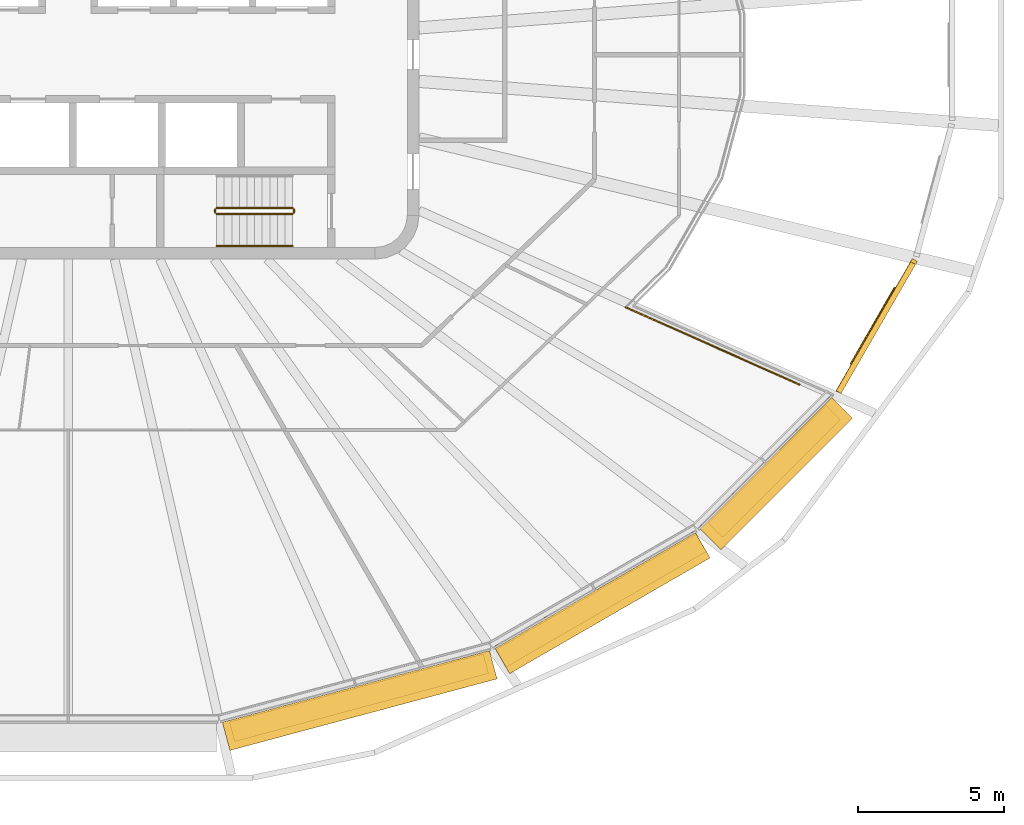
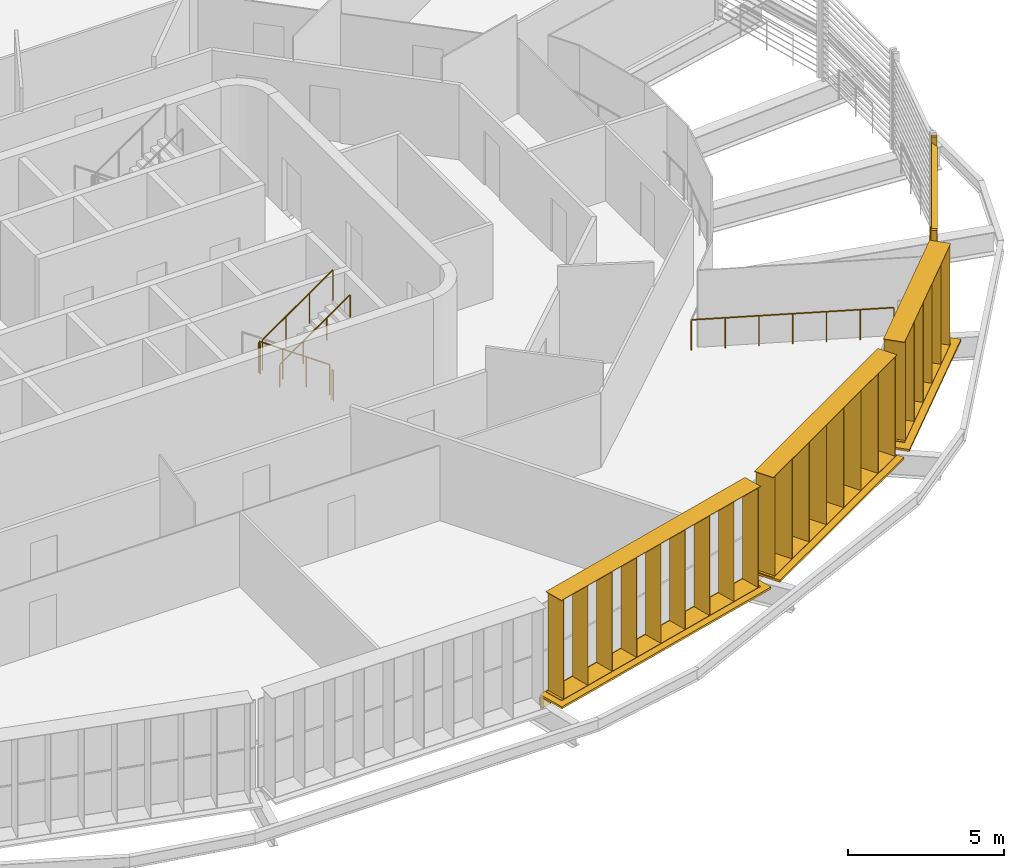
# One storey, part 18 of 21: 7 railings, 7 shading devices.
"""IFC4 building model written with IfcOpenShell, lengths in metres."""

from ifc_helpers import new_model, si_unit, direction, frame, origin, origin_2d, place, context, subcontext, project, spatial, rectangle, circle, extrude, material, type_object, element, save


model = new_model("IFC4")

# Units and contexts
model_context = context("Model", 3, precision=1e-05, world=origin(), true_north=direction((0.0, 1.0)))
body_context = subcontext(model_context, "Body", "Model", "MODEL_VIEW")
ifc_project = project(units=[si_unit("LENGTHUNIT", "METRE"), si_unit("AREAUNIT", "SQUARE_METRE"), si_unit("VOLUMEUNIT", "CUBIC_METRE"), si_unit("PLANEANGLEUNIT", "RADIAN"), si_unit("MASSUNIT", "GRAM", prefix="KILO")], contexts=[model_context])

# Site, building, storey
site_placement = place(None, origin())
site = spatial("IfcSite", under=ifc_project, at=site_placement, CompositionType="ELEMENT")
building_placement = place(site_placement, origin())
building = spatial("IfcBuilding", under=site, at=building_placement, Name="Sahrelin Media Tower", CompositionType="ELEMENT")
storey_placement = place(building_placement, frame((0.0, 0.0, 263.0)))
storey = spatial("IfcBuildingStorey", under=building, at=storey_placement, Name="L57", CompositionType="ELEMENT", Elevation=263.0)

# Shading devices
ifc_material_1 = material(Name="Champagne anodised aluminium 6063-T6", Category="aluminium")
shading_device_type_1 = type_object("IfcShadingDeviceType", Name="Fin cassette", PredefinedType="USERDEFINED", material=ifc_material_1)
placement_1 = place(storey_placement, frame((9.835693359375, -21.59521484375, 0.0), z_axis=(0.0, 0.0, 1.0), x_axis=(-0.965928857556, -0.258807731996, 0.0)))
element("IfcShadingDevice", 1, at=placement_1, inside=storey, type_object=shading_device_type_1, Name="L57:FIN:L57-19", ObjectType="FIN", PredefinedType="USERDEFINED", context=body_context, shape_type="SweptSolid", body=[
    extrude(rectangle(XDim=9.0, YDim=0.699951171875, at=origin_2d()), frame((0.0, 0.419921875, 0.0)), (0.0, 0.0, 1.0), 0.02001953125),
    extrude(rectangle(XDim=9.0, YDim=0.699951171875, at=origin_2d()), frame((0.0, 0.419921875, 3.89990234375)), (0.0, 0.0, 1.0), 0.02001953125),
    extrude(rectangle(XDim=0.02001953125, YDim=0.699951171875, at=origin_2d()), frame((-4.39990234375, 0.419921875, 0.010009765625), z_axis=(0.0, 0.0, 1.0), x_axis=(1.0, 0.0, 0.0)), (0.0, 0.0, 1.0), 3.89990234375),
    extrude(rectangle(XDim=0.02001953125, YDim=0.699951171875, at=origin_2d()), frame((-3.300048828125, 0.419921875, 0.010009765625), z_axis=(0.0, 0.0, 1.0), x_axis=(1.0, 0.0, 0.0)), (0.0, 0.0, 1.0), 3.89990234375),
    extrude(rectangle(XDim=0.02001953125, YDim=0.699951171875, at=origin_2d()), frame((-2.199951171875, 0.419921875, 0.010009765625), z_axis=(0.0, 0.0, 1.0), x_axis=(1.0, 0.0, 0.0)), (0.0, 0.0, 1.0), 3.89990234375),
    extrude(rectangle(XDim=0.02001953125, YDim=0.699951171875, at=origin_2d()), frame((-1.10009765625, 0.419921875, 0.010009765625), z_axis=(0.0, 0.0, 1.0), x_axis=(1.0, 0.0, 0.0)), (0.0, 0.0, 1.0), 3.89990234375),
    extrude(rectangle(XDim=0.02001953125, YDim=0.699951171875, at=origin_2d()), frame((0.0, 0.419921875, 0.010009765625), z_axis=(0.0, 0.0, 1.0), x_axis=(1.0, 0.0, 0.0)), (0.0, 0.0, 1.0), 3.89990234375),
    extrude(rectangle(XDim=0.02001953125, YDim=0.699951171875, at=origin_2d()), frame((1.10009765625, 0.419921875, 0.010009765625), z_axis=(0.0, 0.0, 1.0), x_axis=(1.0, 0.0, 0.0)), (0.0, 0.0, 1.0), 3.89990234375),
    extrude(rectangle(XDim=0.02001953125, YDim=0.699951171875, at=origin_2d()), frame((2.199951171875, 0.419921875, 0.010009765625), z_axis=(0.0, 0.0, 1.0), x_axis=(1.0, 0.0, 0.0)), (0.0, 0.0, 1.0), 3.89990234375),
    extrude(rectangle(XDim=0.02001953125, YDim=0.699951171875, at=origin_2d()), frame((3.300048828125, 0.419921875, 0.010009765625), z_axis=(0.0, 0.0, 1.0), x_axis=(1.0, 0.0, 0.0)), (0.0, 0.0, 1.0), 3.89990234375),
    extrude(rectangle(XDim=0.02001953125, YDim=0.699951171875, at=origin_2d()), frame((4.39990234375, 0.419921875, 0.010009765625), z_axis=(0.0, 0.0, 1.0), x_axis=(1.0, 0.0, 0.0)), (0.0, 0.0, 1.0), 3.89990234375),
])
placement_2 = place(storey_placement, frame((18.017578125, -18.31494140625, 0.0), z_axis=(0.0, 0.0, 1.0), x_axis=(-0.866019052629, -0.500011000363, 0.0)))
element("IfcShadingDevice", 2, at=placement_2, inside=storey, type_object=shading_device_type_1, Name="L57:FIN:L57-20", ObjectType="FIN", PredefinedType="USERDEFINED", context=body_context, shape_type="SweptSolid", body=[
    extrude(rectangle(XDim=7.89990234375, YDim=0.699951171875, at=origin_2d()), frame((0.0, 0.419921875, 0.0)), (0.0, 0.0, 1.0), 0.02001953125),
    extrude(rectangle(XDim=7.89990234375, YDim=0.699951171875, at=origin_2d()), frame((0.0, 0.419921875, 3.89990234375)), (0.0, 0.0, 1.0), 0.02001953125),
    extrude(rectangle(XDim=0.02001953125, YDim=0.699951171875, at=origin_2d()), frame((-3.85009765625, 0.419921875, 0.010009765625), z_axis=(0.0, 0.0, 1.0), x_axis=(1.0, 0.0, 0.0)), (0.0, 0.0, 1.0), 3.89990234375),
    extrude(rectangle(XDim=0.02001953125, YDim=0.699951171875, at=origin_2d()), frame((-2.75, 0.419921875, 0.010009765625), z_axis=(0.0, 0.0, 1.0), x_axis=(1.0, 0.0, 0.0)), (0.0, 0.0, 1.0), 3.89990234375),
    extrude(rectangle(XDim=0.02001953125, YDim=0.699951171875, at=origin_2d()), frame((-1.64990234375, 0.419921875, 0.010009765625), z_axis=(0.0, 0.0, 1.0), x_axis=(1.0, 0.0, 0.0)), (0.0, 0.0, 1.0), 3.89990234375),
    extrude(rectangle(XDim=0.02001953125, YDim=0.699951171875, at=origin_2d()), frame((-0.550048828125, 0.419921875, 0.010009765625), z_axis=(0.0, 0.0, 1.0), x_axis=(1.0, 0.0, 0.0)), (0.0, 0.0, 1.0), 3.89990234375),
    extrude(rectangle(XDim=0.02001953125, YDim=0.699951171875, at=origin_2d()), frame((0.550048828125, 0.419921875, 0.010009765625), z_axis=(0.0, 0.0, 1.0), x_axis=(1.0, 0.0, 0.0)), (0.0, 0.0, 1.0), 3.89990234375),
    extrude(rectangle(XDim=0.02001953125, YDim=0.699951171875, at=origin_2d()), frame((1.64990234375, 0.419921875, 0.010009765625), z_axis=(0.0, 0.0, 1.0), x_axis=(1.0, 0.0, 0.0)), (0.0, 0.0, 1.0), 3.89990234375),
    extrude(rectangle(XDim=0.02001953125, YDim=0.699951171875, at=origin_2d()), frame((2.75, 0.419921875, 0.010009765625), z_axis=(0.0, 0.0, 1.0), x_axis=(1.0, 0.0, 0.0)), (0.0, 0.0, 1.0), 3.89990234375),
    extrude(rectangle(XDim=0.02001953125, YDim=0.699951171875, at=origin_2d()), frame((3.85009765625, 0.419921875, 0.010009765625), z_axis=(0.0, 0.0, 1.0), x_axis=(1.0, 0.0, 0.0)), (0.0, 0.0, 1.0), 3.89990234375),
])
placement_3 = place(storey_placement, frame((23.855712890625, -13.963134765625, 0.0), z_axis=(0.0, 0.0, 1.0), x_axis=(-0.707106781187, -0.707106781187, 0.0)))
element("IfcShadingDevice", 3, at=placement_3, inside=storey, type_object=shading_device_type_1, Name="L57:FIN:L57-21", ObjectType="FIN", PredefinedType="USERDEFINED", context=body_context, shape_type="SweptSolid", body=[
    extrude(rectangle(XDim=5.699951171875, YDim=0.699951171875, at=origin_2d()), frame((0.0, 0.419921875, 0.0)), (0.0, 0.0, 1.0), 0.02001953125),
    extrude(rectangle(XDim=5.699951171875, YDim=0.699951171875, at=origin_2d()), frame((0.0, 0.419921875, 3.89990234375)), (0.0, 0.0, 1.0), 0.02001953125),
    extrude(rectangle(XDim=0.02001953125, YDim=0.699951171875, at=origin_2d()), frame((-2.75, 0.419921875, 0.010009765625), z_axis=(0.0, 0.0, 1.0), x_axis=(1.0, 0.0, 0.0)), (0.0, 0.0, 1.0), 3.89990234375),
    extrude(rectangle(XDim=0.02001953125, YDim=0.699951171875, at=origin_2d()), frame((-1.64990234375, 0.419921875, 0.010009765625), z_axis=(0.0, 0.0, 1.0), x_axis=(1.0, 0.0, 0.0)), (0.0, 0.0, 1.0), 3.89990234375),
    extrude(rectangle(XDim=0.02001953125, YDim=0.699951171875, at=origin_2d()), frame((-0.550048828125, 0.419921875, 0.010009765625), z_axis=(0.0, 0.0, 1.0), x_axis=(1.0, 0.0, 0.0)), (0.0, 0.0, 1.0), 3.89990234375),
    extrude(rectangle(XDim=0.02001953125, YDim=0.699951171875, at=origin_2d()), frame((0.550048828125, 0.419921875, 0.010009765625), z_axis=(0.0, 0.0, 1.0), x_axis=(1.0, 0.0, 0.0)), (0.0, 0.0, 1.0), 3.89990234375),
    extrude(rectangle(XDim=0.02001953125, YDim=0.699951171875, at=origin_2d()), frame((1.64990234375, 0.419921875, 0.010009765625), z_axis=(0.0, 0.0, 1.0), x_axis=(1.0, 0.0, 0.0)), (0.0, 0.0, 1.0), 3.89990234375),
    extrude(rectangle(XDim=0.02001953125, YDim=0.699951171875, at=origin_2d()), frame((2.75, 0.419921875, 0.010009765625), z_axis=(0.0, 0.0, 1.0), x_axis=(1.0, 0.0, 0.0)), (0.0, 0.0, 1.0), 3.89990234375),
])
shading_device_type_2 = type_object("IfcShadingDeviceType", Name="Garden screen", PredefinedType="USERDEFINED", material=ifc_material_1)
shading_device_4_placement = place(storey_placement, frame((27.537109375, -9.285888671875, 0.0), z_axis=(0.0, 0.0, 1.0), x_axis=(-0.500011000363, -0.866019052629, 0.0)))
element("IfcShadingDevice", 4, at=shading_device_4_placement, inside=storey, type_object=shading_device_type_2, Name="L57:SCREEN:L57-22", ObjectType="SCREEN", PredefinedType="USERDEFINED", context=body_context, shape_type="SweptSolid", body=[
    extrude(rectangle(XDim=0.1201171875, YDim=0.199951171875, at=origin_2d()), frame((2.609619140625, 0.10009765625, 0.050048828125), z_axis=(0.0, 0.0, 1.0), x_axis=(1.0, 0.0, 0.0)), (0.0, 0.0, 1.0), 3.89990234375),
    extrude(rectangle(XDim=0.1201171875, YDim=0.199951171875, at=origin_2d()), frame((-2.609619140625, 0.10009765625, 0.050048828125), z_axis=(0.0, 0.0, 1.0), x_axis=(1.0, 0.0, 0.0)), (0.0, 0.0, 1.0), 3.89990234375),
    extrude(rectangle(XDim=0.25, YDim=0.02001953125, at=origin_2d()), frame((2.549560546875, 0.10009765625, 0.14990234375), z_axis=(-1.0, 0.0, 0.0), x_axis=(0.0, -0.766044443119, 0.642787609687)), (0.0, 0.0, 1.0), 5.09912109375),
    extrude(rectangle(XDim=0.25, YDim=0.02001953125, at=origin_2d()), frame((2.549560546875, 0.10009765625, 0.39990234375), z_axis=(-1.0, 0.0, 0.0), x_axis=(0.0, -0.766044443119, 0.642787609687)), (0.0, 0.0, 1.0), 5.09912109375),
    extrude(rectangle(XDim=0.25, YDim=0.02001953125, at=origin_2d()), frame((2.549560546875, 0.10009765625, 0.64990234375), z_axis=(-1.0, 0.0, 0.0), x_axis=(0.0, -0.766044443119, 0.642787609687)), (0.0, 0.0, 1.0), 5.09912109375),
    extrude(rectangle(XDim=0.25, YDim=0.02001953125, at=origin_2d()), frame((2.549560546875, 0.10009765625, 0.89990234375), z_axis=(-1.0, 0.0, 0.0), x_axis=(0.0, -0.766044443119, 0.642787609687)), (0.0, 0.0, 1.0), 5.09912109375),
    extrude(rectangle(XDim=0.25, YDim=0.02001953125, at=origin_2d()), frame((2.549560546875, 0.10009765625, 1.14990234375), z_axis=(-1.0, 0.0, 0.0), x_axis=(0.0, -0.766044443119, 0.642787609687)), (0.0, 0.0, 1.0), 5.09912109375),
    extrude(rectangle(XDim=0.25, YDim=0.02001953125, at=origin_2d()), frame((2.549560546875, 0.10009765625, 1.39990234375), z_axis=(-1.0, 0.0, 0.0), x_axis=(0.0, -0.766044443119, 0.642787609687)), (0.0, 0.0, 1.0), 5.09912109375),
    extrude(rectangle(XDim=0.25, YDim=0.02001953125, at=origin_2d()), frame((2.549560546875, 0.10009765625, 1.64990234375), z_axis=(-1.0, 0.0, 0.0), x_axis=(0.0, -0.766044443119, 0.642787609687)), (0.0, 0.0, 1.0), 5.09912109375),
    extrude(rectangle(XDim=0.25, YDim=0.02001953125, at=origin_2d()), frame((2.549560546875, 0.10009765625, 1.89990234375), z_axis=(-1.0, 0.0, 0.0), x_axis=(0.0, -0.766044443119, 0.642787609687)), (0.0, 0.0, 1.0), 5.09912109375),
    extrude(rectangle(XDim=0.25, YDim=0.02001953125, at=origin_2d()), frame((2.549560546875, 0.10009765625, 2.14990234375), z_axis=(-1.0, 0.0, 0.0), x_axis=(0.0, -0.766044443119, 0.642787609687)), (0.0, 0.0, 1.0), 5.09912109375),
    extrude(rectangle(XDim=0.25, YDim=0.02001953125, at=origin_2d()), frame((2.549560546875, 0.10009765625, 2.39990234375), z_axis=(-1.0, 0.0, 0.0), x_axis=(0.0, -0.766044443119, 0.642787609687)), (0.0, 0.0, 1.0), 5.09912109375),
    extrude(rectangle(XDim=0.25, YDim=0.02001953125, at=origin_2d()), frame((2.549560546875, 0.10009765625, 2.64990234375), z_axis=(-1.0, 0.0, 0.0), x_axis=(0.0, -0.766044443119, 0.642787609687)), (0.0, 0.0, 1.0), 5.09912109375),
    extrude(rectangle(XDim=0.25, YDim=0.02001953125, at=origin_2d()), frame((2.549560546875, 0.10009765625, 2.89990234375), z_axis=(-1.0, 0.0, 0.0), x_axis=(0.0, -0.766044443119, 0.642787609687)), (0.0, 0.0, 1.0), 5.09912109375),
    extrude(rectangle(XDim=0.25, YDim=0.02001953125, at=origin_2d()), frame((2.549560546875, 0.10009765625, 3.14990234375), z_axis=(-1.0, 0.0, 0.0), x_axis=(0.0, -0.766044443119, 0.642787609687)), (0.0, 0.0, 1.0), 5.09912109375),
    extrude(rectangle(XDim=0.25, YDim=0.02001953125, at=origin_2d()), frame((2.549560546875, 0.10009765625, 3.39990234375), z_axis=(-1.0, 0.0, 0.0), x_axis=(0.0, -0.766044443119, 0.642787609687)), (0.0, 0.0, 1.0), 5.09912109375),
    extrude(rectangle(XDim=0.25, YDim=0.02001953125, at=origin_2d()), frame((2.549560546875, 0.10009765625, 3.64990234375), z_axis=(-1.0, 0.0, 0.0), x_axis=(0.0, -0.766044443119, 0.642787609687)), (0.0, 0.0, 1.0), 5.09912109375),
])

# Railings
ifc_material_2 = material(Name="Stainless steel 316", Category="steel")
railing_type_1 = type_object("IfcRailingType", Name="Sky garden guard", PredefinedType="GUARDRAIL", material=ifc_material_2)
railing_1_placement = place(storey_placement, frame((28.269775390625, -7.972412109375, 0.0)))
element("IfcRailing", 5, at=railing_1_placement, inside=storey, type_object=railing_type_1, Name="Sky garden void guard G7-5", PredefinedType="GUARDRAIL", context=body_context, shape_type="SweptSolid", body=[
    extrude(circle(Radius=0.02392578125, at=origin_2d()), frame((0.0, 0.0, 1.17578125), z_axis=(-0.500047814266, -0.865997796445, 0.0), x_axis=(0.865997796445, -0.500047814266, 0.0)), (0.0, 0.0, 1.0), 3.009521484375),
    extrude(circle(Radius=0.02099609375, at=origin_2d()), origin(), (0.0, 0.0, 1.0), 1.15185546875),
    extrude(circle(Radius=0.02099609375, at=origin_2d()), frame((-0.501708984375, -0.86865234375, 0.0)), (0.0, 0.0, 1.0), 1.15185546875),
    extrude(circle(Radius=0.02099609375, at=origin_2d()), frame((-1.003173828125, -1.737548828125, 0.0)), (0.0, 0.0, 1.0), 1.15185546875),
    extrude(circle(Radius=0.02099609375, at=origin_2d()), frame((-1.5048828125, -2.606201171875, 0.0)), (0.0, 0.0, 1.0), 1.15185546875),
])
railing_2_placement = place(storey_placement, frame((25.015625, -11.288818359375, 0.0)))
element("IfcRailing", 6, at=railing_2_placement, inside=storey, type_object=railing_type_1, Name="Sky garden void guard G7-6", PredefinedType="GUARDRAIL", context=body_context, shape_type="SweptSolid", body=[
    extrude(circle(Radius=0.02392578125, at=origin_2d()), frame((0.0, 0.0, 1.17578125), z_axis=(-0.913718776177, 0.406347139847, 0.0), x_axis=(-0.406347139847, -0.913718776177, 0.0)), (0.0, 0.0, 1.0), 6.512939453125),
    extrude(circle(Radius=0.02099609375, at=origin_2d()), origin(), (0.0, 0.0, 1.0), 1.15185546875),
    extrude(circle(Radius=0.02099609375, at=origin_2d()), frame((-0.99169921875, 0.441162109375, 0.0)), (0.0, 0.0, 1.0), 1.15185546875),
    extrude(circle(Radius=0.02099609375, at=origin_2d()), frame((-1.983642578125, 0.882080078125, 0.0)), (0.0, 0.0, 1.0), 1.15185546875),
    extrude(circle(Radius=0.02099609375, at=origin_2d()), frame((-2.9755859375, 1.3232421875, 0.0)), (0.0, 0.0, 1.0), 1.15185546875),
    extrude(circle(Radius=0.02099609375, at=origin_2d()), frame((-3.96728515625, 1.764404296875, 0.0)), (0.0, 0.0, 1.0), 1.15185546875),
    extrude(circle(Radius=0.02099609375, at=origin_2d()), frame((-4.958984375, 2.205322265625, 0.0)), (0.0, 0.0, 1.0), 1.15185546875),
    extrude(circle(Radius=0.02099609375, at=origin_2d()), frame((-5.950927734375, 2.646484375, 0.0)), (0.0, 0.0, 1.0), 1.15185546875),
])
ifc_material_3 = material(Name="Steel S355", Category="steel")
railing_type_2 = type_object("IfcRailingType", Name="Stair guard 1200", PredefinedType="GUARDRAIL", material=ifc_material_3)
railing_3_placement = place(storey_placement, frame((7.675048828125, -5.25, 0.181884765625)))
element("IfcRailing", 7, at=railing_3_placement, inside=storey, type_object=railing_type_2, Name="L57 ST2 stair guard 1", PredefinedType="GUARDRAIL", context=body_context, shape_type="SweptSolid", body=[
    extrude(circle(Radius=0.02392578125, at=origin_2d()), frame((0.0, 0.0, 1.17578125), z_axis=(-0.819521025635, 0.0, 0.573049115296), x_axis=(0.0, -1.0, 0.0)), (0.0, 0.0, 1.0), 3.172607421875),
    extrude(circle(Radius=0.02099609375, at=origin_2d()), origin(), (0.0, 0.0, 1.0), 1.15185546875),
    extrude(circle(Radius=0.02099609375, at=origin_2d()), frame((-0.86669921875, 0.0, 0.60595703125)), (0.0, 0.0, 1.0), 1.15185546875),
    extrude(circle(Radius=0.02099609375, at=origin_2d()), frame((-1.7333984375, 0.0, 1.212158203125)), (0.0, 0.0, 1.0), 1.15185546875),
    extrude(circle(Radius=0.02099609375, at=origin_2d()), frame((-2.60009765625, 0.0, 1.818115234375)), (0.0, 0.0, 1.0), 1.15185546875),
])
railing_4_placement = place(storey_placement, frame((5.02490234375, -5.300048828125, 2.0)))
element("IfcRailing", 8, at=railing_4_placement, inside=storey, type_object=railing_type_2, Name="L57 ST2 stair guard 2", PredefinedType="GUARDRAIL", context=body_context, shape_type="SweptSolid", body=[
    extrude(circle(Radius=0.02392578125, at=origin_2d()), frame((0.0, 0.0, 1.17578125), z_axis=(0.0, -1.0, 0.0), x_axis=(1.0, 0.0, 0.0)), (0.0, 0.0, 1.0), 0.099853515625),
    extrude(circle(Radius=0.02099609375, at=origin_2d()), origin(), (0.0, 0.0, 1.0), 1.15185546875),
    extrude(circle(Radius=0.02099609375, at=origin_2d()), frame((0.0, -0.099853515625, 0.0)), (0.0, 0.0, 1.0), 1.15185546875),
])
railing_5_placement = place(storey_placement, frame((5.074951171875, -5.449951171875, 2.181884765625)))
element("IfcRailing", 9, at=railing_5_placement, inside=storey, type_object=railing_type_2, Name="L57 ST2 stair guard 3", PredefinedType="GUARDRAIL", context=body_context, shape_type="SweptSolid", body=[
    extrude(circle(Radius=0.02392578125, at=origin_2d()), frame((0.0, 0.0, 1.17578125), z_axis=(0.819521025635, 0.0, 0.573049115296), x_axis=(0.0, 1.0, 0.0)), (0.0, 0.0, 1.0), 3.172607421875),
    extrude(circle(Radius=0.02099609375, at=origin_2d()), origin(), (0.0, 0.0, 1.0), 1.15185546875),
    extrude(circle(Radius=0.02099609375, at=origin_2d()), frame((0.86669921875, 0.0, 0.60595703125)), (0.0, 0.0, 1.0), 1.15185546875),
    extrude(circle(Radius=0.02099609375, at=origin_2d()), frame((1.7333984375, 0.0, 1.212158203125)), (0.0, 0.0, 1.0), 1.15185546875),
    extrude(circle(Radius=0.02099609375, at=origin_2d()), frame((2.60009765625, 0.0, 1.818115234375)), (0.0, 0.0, 1.0), 1.15185546875),
])
railing_6_placement = place(storey_placement, frame((7.72509765625, -5.300048828125, 0.0)))
element("IfcRailing", 10, at=railing_6_placement, inside=storey, type_object=railing_type_2, Name="L57 ST2 stair guard 4", PredefinedType="GUARDRAIL", context=body_context, shape_type="SweptSolid", body=[
    extrude(circle(Radius=0.02392578125, at=origin_2d()), frame((0.0, 0.0, 1.17578125), z_axis=(0.0, -1.0, 0.0), x_axis=(1.0, 0.0, 0.0)), (0.0, 0.0, 1.0), 0.099853515625),
    extrude(circle(Radius=0.02099609375, at=origin_2d()), origin(), (0.0, 0.0, 1.0), 1.15185546875),
    extrude(circle(Radius=0.02099609375, at=origin_2d()), frame((0.0, -0.099853515625, 0.0)), (0.0, 0.0, 1.0), 1.15185546875),
])
railing_type_3 = type_object("IfcRailingType", Name="Stair handrail 900", PredefinedType="HANDRAIL", material=ifc_material_3)
railing_7_placement = place(storey_placement, frame((5.074951171875, -6.550048828125, 2.181884765625)))
element("IfcRailing", 11, at=railing_7_placement, inside=storey, type_object=railing_type_3, Name="L57 ST2 stair handrail 2", PredefinedType="HANDRAIL", context=body_context, shape_type="SweptSolid", body=[
    extrude(circle(Radius=0.02392578125, at=origin_2d()), frame((0.0, 0.0, 0.8759765625), z_axis=(0.819521025635, 0.0, 0.573049115296), x_axis=(0.0, 1.0, 0.0)), (0.0, 0.0, 1.0), 3.172607421875),
    extrude(circle(Radius=0.02099609375, at=origin_2d()), origin(), (0.0, 0.0, 1.0), 0.851806640625),
    extrude(circle(Radius=0.02099609375, at=origin_2d()), frame((0.86669921875, 0.0, 0.60595703125)), (0.0, 0.0, 1.0), 0.851806640625),
    extrude(circle(Radius=0.02099609375, at=origin_2d()), frame((1.7333984375, 0.0, 1.212158203125)), (0.0, 0.0, 1.0), 0.851806640625),
    extrude(circle(Radius=0.02099609375, at=origin_2d()), frame((2.60009765625, 0.0, 1.818115234375)), (0.0, 0.0, 1.0), 0.851806640625),
])

# Shading devices
shading_device_type_3 = type_object("IfcShadingDeviceType", Name="Sunshade band", PredefinedType="USERDEFINED", material=ifc_material_1)
element("IfcShadingDevice", 12, at=placement_1, inside=storey, type_object=shading_device_type_3, Name="L57:SUN:L57-19", ObjectType="SUNSHADE", PredefinedType="USERDEFINED", context=body_context, shape_type="SweptSolid", body=[
    extrude(rectangle(XDim=9.46044921875, YDim=0.050048828125, at=origin_2d()), frame((0.0, 0.044921875, -0.55126953125)), (0.0, 0.0, 1.0), 0.471435546875),
    extrude(rectangle(XDim=9.46044921875, YDim=1.0, at=origin_2d()), frame((0.0, 0.52001953125, -0.080078125)), (0.0, 0.0, 1.0), 0.080078125),
    extrude(rectangle(XDim=0.10009765625, YDim=0.074951171875, at=origin_2d()), frame((-4.630126953125, -0.017578125, -0.47021484375)), (0.0, 0.0, 1.0), 0.300048828125),
    extrude(rectangle(XDim=0.10009765625, YDim=0.074951171875, at=origin_2d()), frame((-2.778076171875, -0.017578125, -0.47021484375)), (0.0, 0.0, 1.0), 0.300048828125),
    extrude(rectangle(XDim=0.10009765625, YDim=0.074951171875, at=origin_2d()), frame((-0.926025390625, -0.017578125, -0.47021484375)), (0.0, 0.0, 1.0), 0.300048828125),
    extrude(rectangle(XDim=0.10009765625, YDim=0.074951171875, at=origin_2d()), frame((0.926025390625, -0.017578125, -0.47021484375)), (0.0, 0.0, 1.0), 0.300048828125),
    extrude(rectangle(XDim=0.10009765625, YDim=0.074951171875, at=origin_2d()), frame((2.778076171875, -0.017578125, -0.47021484375)), (0.0, 0.0, 1.0), 0.300048828125),
    extrude(rectangle(XDim=0.10009765625, YDim=0.074951171875, at=origin_2d()), frame((4.630126953125, -0.017578125, -0.47021484375)), (0.0, 0.0, 1.0), 0.300048828125),
])
element("IfcShadingDevice", 13, at=placement_2, inside=storey, type_object=shading_device_type_3, Name="L57:SUN:L57-20", ObjectType="SUNSHADE", PredefinedType="USERDEFINED", context=body_context, shape_type="SweptSolid", body=[
    extrude(rectangle(XDim=7.92041015625, YDim=0.050048828125, at=origin_2d()), frame((0.0, 0.044921875, -0.55126953125)), (0.0, 0.0, 1.0), 0.471435546875),
    extrude(rectangle(XDim=7.92041015625, YDim=1.0, at=origin_2d()), frame((0.0, 0.52001953125, -0.080078125)), (0.0, 0.0, 1.0), 0.080078125),
    extrude(rectangle(XDim=0.10009765625, YDim=0.074951171875, at=origin_2d()), frame((-3.860107421875, -0.017578125, -0.47021484375)), (0.0, 0.0, 1.0), 0.300048828125),
    extrude(rectangle(XDim=0.10009765625, YDim=0.074951171875, at=origin_2d()), frame((-1.93017578125, -0.017578125, -0.47021484375)), (0.0, 0.0, 1.0), 0.300048828125),
    extrude(rectangle(XDim=0.10009765625, YDim=0.074951171875, at=origin_2d()), frame((0.0, -0.017578125, -0.47021484375)), (0.0, 0.0, 1.0), 0.300048828125),
    extrude(rectangle(XDim=0.10009765625, YDim=0.074951171875, at=origin_2d()), frame((1.93017578125, -0.017578125, -0.47021484375)), (0.0, 0.0, 1.0), 0.300048828125),
    extrude(rectangle(XDim=0.10009765625, YDim=0.074951171875, at=origin_2d()), frame((3.860107421875, -0.017578125, -0.47021484375)), (0.0, 0.0, 1.0), 0.300048828125),
])
element("IfcShadingDevice", 14, at=placement_3, inside=storey, type_object=shading_device_type_3, Name="L57:SUN:L57-21", ObjectType="SUNSHADE", PredefinedType="USERDEFINED", context=body_context, shape_type="SweptSolid", body=[
    extrude(rectangle(XDim=6.3671875, YDim=0.050048828125, at=origin_2d()), frame((0.0, 0.044921875, -0.55126953125)), (0.0, 0.0, 1.0), 0.471435546875),
    extrude(rectangle(XDim=6.3671875, YDim=1.0, at=origin_2d()), frame((0.0, 0.52001953125, -0.080078125)), (0.0, 0.0, 1.0), 0.080078125),
    extrude(rectangle(XDim=0.10009765625, YDim=0.074951171875, at=origin_2d()), frame((-3.08349609375, -0.017578125, -0.47021484375)), (0.0, 0.0, 1.0), 0.300048828125),
    extrude(rectangle(XDim=0.10009765625, YDim=0.074951171875, at=origin_2d()), frame((-1.541748046875, -0.017578125, -0.47021484375)), (0.0, 0.0, 1.0), 0.300048828125),
    extrude(rectangle(XDim=0.10009765625, YDim=0.074951171875, at=origin_2d()), frame((0.0, -0.017578125, -0.47021484375)), (0.0, 0.0, 1.0), 0.300048828125),
    extrude(rectangle(XDim=0.10009765625, YDim=0.074951171875, at=origin_2d()), frame((1.541748046875, -0.017578125, -0.47021484375)), (0.0, 0.0, 1.0), 0.300048828125),
    extrude(rectangle(XDim=0.10009765625, YDim=0.074951171875, at=origin_2d()), frame((3.08349609375, -0.017578125, -0.47021484375)), (0.0, 0.0, 1.0), 0.300048828125),
])

save(model, "model.ifc")
